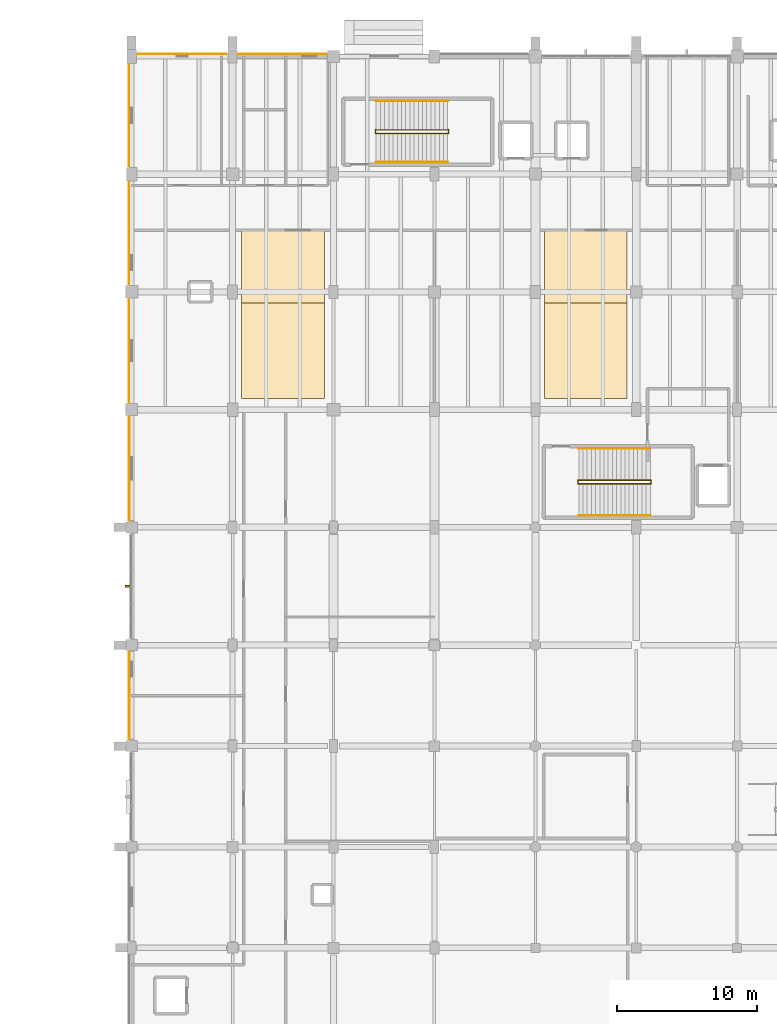
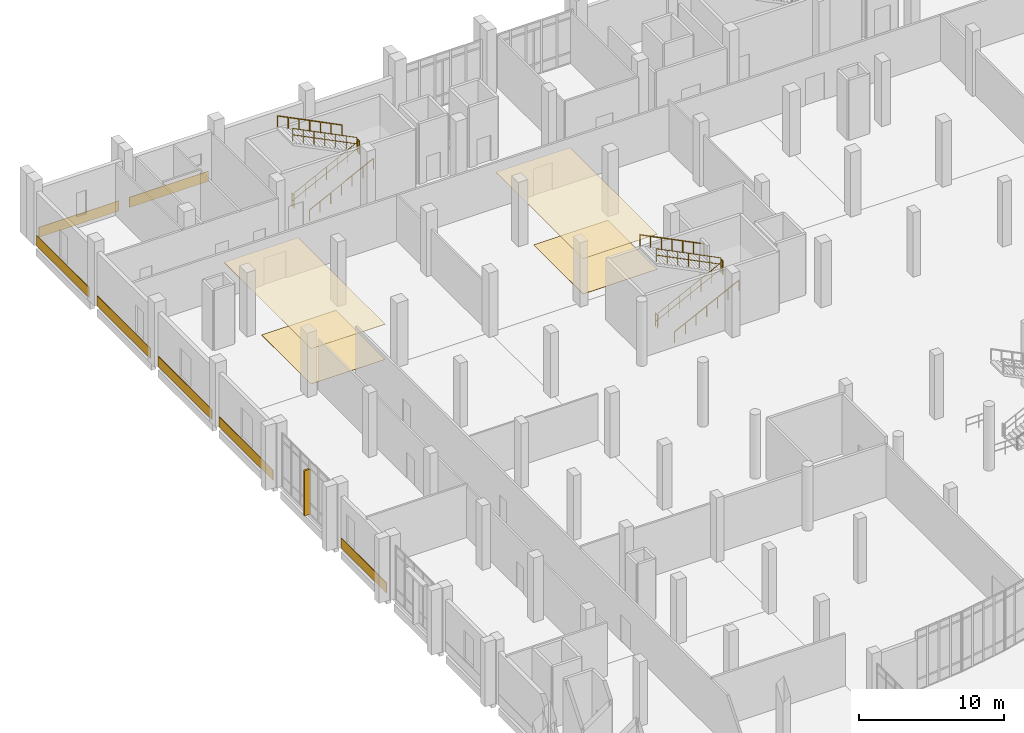
# One storey, part 104 of 110: 12 railings, 11 coverings, 1 shading device.
"""IFC4 building model written with IfcOpenShell, lengths in metres."""

from ifc_helpers import new_model, si_unit, direction, frame, origin, origin_2d, place, context, subcontext, project, spatial, polyline, rectangle, circle, outline, extrude, material, layer, layer_set, type_object, element, save


model = new_model("IFC4")

# Units and contexts
model_context = context("Model", 3, precision=1e-05, world=origin(), true_north=direction((0.0, 1.0)))
body_context = subcontext(model_context, "Body", "Model", "MODEL_VIEW")
ifc_project = project(units=[si_unit("LENGTHUNIT", "METRE"), si_unit("AREAUNIT", "SQUARE_METRE"), si_unit("VOLUMEUNIT", "CUBIC_METRE"), si_unit("PLANEANGLEUNIT", "RADIAN"), si_unit("MASSUNIT", "GRAM", prefix="KILO")], contexts=[model_context])

# Site, building, storey
site_placement = place(None, origin())
site = spatial("IfcSite", under=ifc_project, at=site_placement, CompositionType="ELEMENT")
building_placement = place(site_placement, origin())
building = spatial("IfcBuilding", under=site, at=building_placement, Name="Kalluvel Institute of Natural Sciences", CompositionType="ELEMENT")
storey_placement = place(building_placement, origin())
storey = spatial("IfcBuildingStorey", under=building, at=storey_placement, Name="L00", CompositionType="ELEMENT", Elevation=0.0)

# Coverings
ifc_material_1 = material(Name="Perforated Mineral-Fibre Acoustic Tile", Category="gypsum")
ifc_layer_1 = layer(ifc_material_1, 0.02490234375)
ifc_layer_set_1 = layer_set([ifc_layer_1], Name="Perforated Mineral-Fibre Acoustic Tile")
covering_type_1 = type_object("IfcCoveringType", Name="COV-CEIL-600", PredefinedType="CEILING", material=ifc_layer_set_1)
covering_1_placement = place(storey_placement, frame((0.0, 0.0, 2.949951171875)))
element("IfcCovering", 1, at=covering_1_placement, inside=storey, type_object=covering_type_1, Name="L00 laboratory acoustic ceiling panel 1", PredefinedType="CEILING", context=body_context, shape_type="SweptSolid", body=[
    extrude(outline(polyline([(21.85009765625, 103.60009765625), (27.75, 103.60009765625), (27.75, 115.60009765625), (21.85009765625, 115.60009765625), (21.85009765625, 103.60009765625)])), origin(), (0.0, 0.0, 1.0), 0.025146484375),
])
covering_2_placement = place(storey_placement, frame((0.0, 0.0, 2.949951171875)))
element("IfcCovering", 2, at=covering_2_placement, inside=storey, type_object=covering_type_1, Name="L00 laboratory acoustic ceiling panel 2", PredefinedType="CEILING", context=body_context, shape_type="SweptSolid", body=[
    extrude(outline(polyline([(43.449951171875, 103.60009765625), (49.35009765625, 103.60009765625), (49.35009765625, 115.60009765625), (43.449951171875, 115.60009765625), (43.449951171875, 103.60009765625)])), origin(), (0.0, 0.0, 1.0), 0.025146484375),
])
ifc_material_2 = material(Name="Sadarahalli Grey Granite Ashlar Concrete M40", Category="masonry")
ifc_layer_2 = layer(ifc_material_2, 0.044921875)
ifc_layer_set_2 = layer_set([ifc_layer_2], Name="Sadarahalli Grey Granite Ashlar Concrete M40")
covering_type_2 = type_object("IfcCoveringType", Name="COV-CLAD-STONE", PredefinedType="CLADDING", material=ifc_layer_set_2)
covering_3_placement = place(storey_placement, frame((17.612548828125, 128.179931640625, 0.02490234375), z_axis=(0.0, 0.0, 1.0), x_axis=(1.0, 0.0, 0.0)))
element("IfcCovering", 3, at=covering_3_placement, inside=storey, type_object=covering_type_2, Name="L00 Sadarahalli granite plinth spandrel cladding 1", PredefinedType="CLADDING", context=body_context, shape_type="SweptSolid", body=[
    extrude(rectangle(XDim=6.364990234375, YDim=0.044921875, at=origin_2d()), origin(), (0.0, 0.0, 1.0), 0.85009765625),
])
covering_4_placement = place(storey_placement, frame((24.75, 128.179931640625, 0.02490234375), z_axis=(0.0, 0.0, 1.0), x_axis=(1.0, 0.0, 0.0)))
element("IfcCovering", 4, at=covering_4_placement, inside=storey, type_object=covering_type_2, Name="L00 Sadarahalli granite plinth spandrel cladding 2", PredefinedType="CLADDING", context=body_context, shape_type="SweptSolid", body=[
    extrude(rectangle(XDim=6.2900390625, YDim=0.044921875, at=origin_2d()), origin(), (0.0, 0.0, 1.0), 0.85009765625),
])
covering_5_placement = place(storey_placement, frame((13.820068359375, 106.987548828125, 0.02490234375), z_axis=(0.0, 0.0, 1.0), x_axis=(0.0, 1.0, 0.0)))
element("IfcCovering", 5, at=covering_5_placement, inside=storey, type_object=covering_type_2, Name="L00 Sadarahalli granite plinth spandrel cladding 11", PredefinedType="CLADDING", context=body_context, shape_type="SweptSolid", body=[
    extrude(rectangle(XDim=7.364990234375, YDim=0.044921875, at=origin_2d()), origin(), (0.0, 0.0, 1.0), 0.85009765625),
])
covering_6_placement = place(storey_placement, frame((13.820068359375, 115.387451171875, 0.02490234375), z_axis=(0.0, 0.0, 1.0), x_axis=(0.0, 1.0, 0.0)))
element("IfcCovering", 6, at=covering_6_placement, inside=storey, type_object=covering_type_2, Name="L00 Sadarahalli granite plinth spandrel cladding 12", PredefinedType="CLADDING", context=body_context, shape_type="SweptSolid", body=[
    extrude(rectangle(XDim=7.31494140625, YDim=0.044921875, at=origin_2d()), origin(), (0.0, 0.0, 1.0), 0.85009765625),
])
covering_7_placement = place(storey_placement, frame((13.820068359375, 123.78759765625, 0.02490234375), z_axis=(0.0, 0.0, 1.0), x_axis=(0.0, 1.0, 0.0)))
element("IfcCovering", 7, at=covering_7_placement, inside=storey, type_object=covering_type_2, Name="L00 Sadarahalli granite plinth spandrel cladding 13", PredefinedType="CLADDING", context=body_context, shape_type="SweptSolid", body=[
    extrude(rectangle(XDim=7.264892578125, YDim=0.044921875, at=origin_2d()), origin(), (0.0, 0.0, 1.0), 0.85009765625),
])
covering_8_placement = place(storey_placement, frame((13.830078125, 82.39990234375, 0.02490234375), z_axis=(0.0, 0.0, 1.0), x_axis=(0.0, 1.0, 0.0)))
element("IfcCovering", 8, at=covering_8_placement, inside=storey, type_object=covering_type_2, Name="L00 Sadarahalli granite plinth spandrel cladding 133", PredefinedType="CLADDING", context=body_context, shape_type="SweptSolid", body=[
    extrude(rectangle(XDim=6.239990234375, YDim=0.044921875, at=origin_2d()), origin(), (0.0, 0.0, 1.0), 0.85009765625),
])
covering_9_placement = place(storey_placement, frame((13.830078125, 98.58740234375, 0.02490234375), z_axis=(0.0, 0.0, 1.0), x_axis=(0.0, 1.0, 0.0)))
element("IfcCovering", 9, at=covering_9_placement, inside=storey, type_object=covering_type_2, Name="L00 Sadarahalli granite plinth spandrel cladding 134", PredefinedType="CLADDING", context=body_context, shape_type="SweptSolid", body=[
    extrude(rectangle(XDim=7.4150390625, YDim=0.044921875, at=origin_2d()), origin(), (0.0, 0.0, 1.0), 0.85009765625),
])
ifc_material_3 = material(Name="Seamless Chemical-Resistant Epoxy Flooring", Category="resin")
ifc_layer_3 = layer(ifc_material_3, 0.014892578125)
ifc_layer_set_3 = layer_set([ifc_layer_3], Name="Seamless Chemical-Resistant Epoxy Flooring")
covering_type_3 = type_object("IfcCoveringType", Name="COV-FLR-EPOXY", PredefinedType="FLOORING", material=ifc_layer_set_3)
covering_10_placement = place(storey_placement, origin())
element("IfcCovering", 10, at=covering_10_placement, inside=storey, type_object=covering_type_3, Name="L00 seamless epoxy laboratory floor finish 1", PredefinedType="FLOORING", context=body_context, shape_type="SweptSolid", body=[
    extrude(outline(polyline([(21.85009765625, 103.60009765625), (27.75, 103.60009765625), (27.75, 110.39990234375), (21.85009765625, 110.39990234375), (21.85009765625, 103.60009765625)])), origin(), (0.0, 0.0, 1.0), 0.014892578125),
])
covering_11_placement = place(storey_placement, origin())
element("IfcCovering", 11, at=covering_11_placement, inside=storey, type_object=covering_type_3, Name="L00 seamless epoxy laboratory floor finish 2", PredefinedType="FLOORING", context=body_context, shape_type="SweptSolid", body=[
    extrude(outline(polyline([(43.449951171875, 103.60009765625), (49.35009765625, 103.60009765625), (49.35009765625, 110.39990234375), (43.449951171875, 110.39990234375), (43.449951171875, 103.60009765625)])), origin(), (0.0, 0.0, 1.0), 0.014892578125),
])

# Railings
ifc_material_4 = material(Name="Galvanized Fire-Rated Steel", Category="steel")
railing_type_1 = type_object("IfcRailingType", Name="RL-GD-STAIR", PredefinedType="BALUSTRADE", material=ifc_material_4)
railing_1_placement = place(storey_placement, frame((31.449951171875, 122.510009765625, 0.14990234375)))
element("IfcRailing", 12, at=railing_1_placement, inside=storey, type_object=railing_type_1, Name="L00 ST1 stair guard 1", PredefinedType="BALUSTRADE", context=body_context, shape_type="SweptSolid", body=[
    extrude(circle(Radius=0.02392578125, at=origin_2d()), frame((0.0, 0.0, 1.09619140625), z_axis=(0.894427191, 0.0, 0.4472135955), x_axis=(0.0, 1.0, 0.0)), (0.0, 0.0, 1.0), 5.7021484375),
    extrude(circle(Radius=0.02392578125, at=origin_2d()), frame((0.0, 0.0, 0.56005859375), z_axis=(0.894427191, 0.0, 0.4472135955), x_axis=(0.0, 1.0, 0.0)), (0.0, 0.0, 1.0), 5.7021484375),
    extrude(circle(Radius=0.02099609375, at=origin_2d()), origin(), (0.0, 0.0, 1.0), 1.072021484375),
    extrude(circle(Radius=0.02099609375, at=origin_2d()), frame((0.85009765625, 0.0, 0.425048828125)), (0.0, 0.0, 1.0), 1.072021484375),
    extrude(circle(Radius=0.02099609375, at=origin_2d()), frame((1.699951171875, 0.0, 0.85009765625)), (0.0, 0.0, 1.0), 1.072021484375),
    extrude(circle(Radius=0.02099609375, at=origin_2d()), frame((2.550048828125, 0.0, 1.27490234375)), (0.0, 0.0, 1.0), 1.072021484375),
    extrude(circle(Radius=0.02099609375, at=origin_2d()), frame((3.400146484375, 0.0, 1.699951171875)), (0.0, 0.0, 1.0), 1.072021484375),
    extrude(circle(Radius=0.02099609375, at=origin_2d()), frame((4.25, 0.0, 2.125)), (0.0, 0.0, 1.0), 1.072021484375),
    extrude(circle(Radius=0.02099609375, at=origin_2d()), frame((5.10009765625, 0.0, 2.550048828125)), (0.0, 0.0, 1.0), 1.072021484375),
])
railing_2_placement = place(storey_placement, frame((36.60009765625, 122.4951171875, 2.699951171875)))
element("IfcRailing", 13, at=railing_2_placement, inside=storey, type_object=railing_type_1, Name="L00 ST1 stair guard 2", PredefinedType="BALUSTRADE", context=body_context, shape_type="SweptSolid", body=[
    extrude(circle(Radius=0.02392578125, at=origin_2d()), frame((0.0, 0.0, 1.09619140625), z_axis=(0.0, 1.0, 0.0), x_axis=(-1.0, 0.0, 0.0)), (0.0, 0.0, 1.0), 0.27978515625),
    extrude(circle(Radius=0.02392578125, at=origin_2d()), frame((0.0, 0.0, 0.56005859375), z_axis=(0.0, 1.0, 0.0), x_axis=(-1.0, 0.0, 0.0)), (0.0, 0.0, 1.0), 0.27978515625),
    extrude(circle(Radius=0.02099609375, at=origin_2d()), origin(), (0.0, 0.0, 1.0), 1.072021484375),
    extrude(circle(Radius=0.02099609375, at=origin_2d()), frame((0.0, 0.27978515625, 0.0)), (0.0, 0.0, 1.0), 1.072021484375),
])
railing_3_placement = place(storey_placement, frame((36.550048828125, 122.760009765625, 2.85009765625)))
element("IfcRailing", 14, at=railing_3_placement, inside=storey, type_object=railing_type_1, Name="L00 ST1 stair guard 3", PredefinedType="BALUSTRADE", context=body_context, shape_type="SweptSolid", body=[
    extrude(circle(Radius=0.02392578125, at=origin_2d()), frame((0.0, 0.0, 1.09619140625), z_axis=(-0.89444431709, 0.0, 0.44717934168), x_axis=(0.0, -1.0, 0.0)), (0.0, 0.0, 1.0), 5.701904296875),
    extrude(circle(Radius=0.02392578125, at=origin_2d()), frame((0.0, 0.0, 0.56005859375), z_axis=(-0.89444431709, 0.0, 0.44717934168), x_axis=(0.0, -1.0, 0.0)), (0.0, 0.0, 1.0), 5.701904296875),
    extrude(circle(Radius=0.02099609375, at=origin_2d()), origin(), (0.0, 0.0, 1.0), 1.072021484375),
    extrude(circle(Radius=0.02099609375, at=origin_2d()), frame((-0.85009765625, 0.0, 0.425048828125)), (0.0, 0.0, 1.0), 1.072021484375),
    extrude(circle(Radius=0.02099609375, at=origin_2d()), frame((-1.699951171875, 0.0, 0.849853515625)), (0.0, 0.0, 1.0), 1.072021484375),
    extrude(circle(Radius=0.02099609375, at=origin_2d()), frame((-2.550048828125, 0.0, 1.27490234375)), (0.0, 0.0, 1.0), 1.072021484375),
    extrude(circle(Radius=0.02099609375, at=origin_2d()), frame((-3.400146484375, 0.0, 1.699951171875)), (0.0, 0.0, 1.0), 1.072021484375),
    extrude(circle(Radius=0.02099609375, at=origin_2d()), frame((-4.25, 0.0, 2.124755859375)), (0.0, 0.0, 1.0), 1.072021484375),
    extrude(circle(Radius=0.02099609375, at=origin_2d()), frame((-5.10009765625, 0.0, 2.5498046875)), (0.0, 0.0, 1.0), 1.072021484375),
])
railing_4_placement = place(storey_placement, frame((31.39990234375, 122.4951171875, 0.0)))
element("IfcRailing", 15, at=railing_4_placement, inside=storey, type_object=railing_type_1, Name="L00 ST1 stair guard 4", PredefinedType="BALUSTRADE", context=body_context, shape_type="SweptSolid", body=[
    extrude(circle(Radius=0.02392578125, at=origin_2d()), frame((0.0, 0.0, 1.09619140625), z_axis=(0.0, 1.0, 0.0), x_axis=(-1.0, 0.0, 0.0)), (0.0, 0.0, 1.0), 0.27978515625),
    extrude(circle(Radius=0.02392578125, at=origin_2d()), frame((0.0, 0.0, 0.56005859375), z_axis=(0.0, 1.0, 0.0), x_axis=(-1.0, 0.0, 0.0)), (0.0, 0.0, 1.0), 0.27978515625),
    extrude(circle(Radius=0.02099609375, at=origin_2d()), origin(), (0.0, 0.0, 1.0), 1.072021484375),
    extrude(circle(Radius=0.02099609375, at=origin_2d()), frame((0.0, 0.27978515625, 0.0)), (0.0, 0.0, 1.0), 1.072021484375),
])
railing_5_placement = place(storey_placement, frame((45.89990234375, 97.510009765625, 0.14990234375)))
element("IfcRailing", 16, at=railing_5_placement, inside=storey, type_object=railing_type_1, Name="L00 ST3 stair guard 1", PredefinedType="BALUSTRADE", context=body_context, shape_type="SweptSolid", body=[
    extrude(circle(Radius=0.02392578125, at=origin_2d()), frame((0.0, 0.0, 1.09619140625), z_axis=(0.894427191, 0.0, 0.4472135955), x_axis=(0.0, 1.0, 0.0)), (0.0, 0.0, 1.0), 5.7021484375),
    extrude(circle(Radius=0.02392578125, at=origin_2d()), frame((0.0, 0.0, 0.56005859375), z_axis=(0.894427191, 0.0, 0.4472135955), x_axis=(0.0, 1.0, 0.0)), (0.0, 0.0, 1.0), 5.7021484375),
    extrude(circle(Radius=0.02099609375, at=origin_2d()), origin(), (0.0, 0.0, 1.0), 1.072021484375),
    extrude(circle(Radius=0.02099609375, at=origin_2d()), frame((0.85009765625, 0.0, 0.425048828125)), (0.0, 0.0, 1.0), 1.072021484375),
    extrude(circle(Radius=0.02099609375, at=origin_2d()), frame((1.699951171875, 0.0, 0.85009765625)), (0.0, 0.0, 1.0), 1.072021484375),
    extrude(circle(Radius=0.02099609375, at=origin_2d()), frame((2.550048828125, 0.0, 1.27490234375)), (0.0, 0.0, 1.0), 1.072021484375),
    extrude(circle(Radius=0.02099609375, at=origin_2d()), frame((3.400146484375, 0.0, 1.699951171875)), (0.0, 0.0, 1.0), 1.072021484375),
    extrude(circle(Radius=0.02099609375, at=origin_2d()), frame((4.25, 0.0, 2.125)), (0.0, 0.0, 1.0), 1.072021484375),
    extrude(circle(Radius=0.02099609375, at=origin_2d()), frame((5.10009765625, 0.0, 2.550048828125)), (0.0, 0.0, 1.0), 1.072021484375),
])
railing_6_placement = place(storey_placement, frame((51.050048828125, 97.4951171875, 2.699951171875)))
element("IfcRailing", 17, at=railing_6_placement, inside=storey, type_object=railing_type_1, Name="L00 ST3 stair guard 2", PredefinedType="BALUSTRADE", context=body_context, shape_type="SweptSolid", body=[
    extrude(circle(Radius=0.02392578125, at=origin_2d()), frame((0.0, 0.0, 1.09619140625), z_axis=(0.0, 1.0, 0.0), x_axis=(-1.0, 0.0, 0.0)), (0.0, 0.0, 1.0), 0.27978515625),
    extrude(circle(Radius=0.02392578125, at=origin_2d()), frame((0.0, 0.0, 0.56005859375), z_axis=(0.0, 1.0, 0.0), x_axis=(-1.0, 0.0, 0.0)), (0.0, 0.0, 1.0), 0.27978515625),
    extrude(circle(Radius=0.02099609375, at=origin_2d()), origin(), (0.0, 0.0, 1.0), 1.072021484375),
    extrude(circle(Radius=0.02099609375, at=origin_2d()), frame((0.0, 0.27978515625, 0.0)), (0.0, 0.0, 1.0), 1.072021484375),
])
railing_7_placement = place(storey_placement, frame((51.0, 97.760009765625, 2.85009765625)))
element("IfcRailing", 18, at=railing_7_placement, inside=storey, type_object=railing_type_1, Name="L00 ST3 stair guard 3", PredefinedType="BALUSTRADE", context=body_context, shape_type="SweptSolid", body=[
    extrude(circle(Radius=0.02392578125, at=origin_2d()), frame((0.0, 0.0, 1.09619140625), z_axis=(-0.89444431709, 0.0, 0.44717934168), x_axis=(0.0, -1.0, 0.0)), (0.0, 0.0, 1.0), 5.701904296875),
    extrude(circle(Radius=0.02392578125, at=origin_2d()), frame((0.0, 0.0, 0.56005859375), z_axis=(-0.89444431709, 0.0, 0.44717934168), x_axis=(0.0, -1.0, 0.0)), (0.0, 0.0, 1.0), 5.701904296875),
    extrude(circle(Radius=0.02099609375, at=origin_2d()), origin(), (0.0, 0.0, 1.0), 1.072021484375),
    extrude(circle(Radius=0.02099609375, at=origin_2d()), frame((-0.85009765625, 0.0, 0.425048828125)), (0.0, 0.0, 1.0), 1.072021484375),
    extrude(circle(Radius=0.02099609375, at=origin_2d()), frame((-1.699951171875, 0.0, 0.849853515625)), (0.0, 0.0, 1.0), 1.072021484375),
    extrude(circle(Radius=0.02099609375, at=origin_2d()), frame((-2.550048828125, 0.0, 1.27490234375)), (0.0, 0.0, 1.0), 1.072021484375),
    extrude(circle(Radius=0.02099609375, at=origin_2d()), frame((-3.400146484375, 0.0, 1.699951171875)), (0.0, 0.0, 1.0), 1.072021484375),
    extrude(circle(Radius=0.02099609375, at=origin_2d()), frame((-4.25, 0.0, 2.124755859375)), (0.0, 0.0, 1.0), 1.072021484375),
    extrude(circle(Radius=0.02099609375, at=origin_2d()), frame((-5.10009765625, 0.0, 2.5498046875)), (0.0, 0.0, 1.0), 1.072021484375),
])
railing_8_placement = place(storey_placement, frame((45.85009765625, 97.4951171875, 0.0)))
element("IfcRailing", 19, at=railing_8_placement, inside=storey, type_object=railing_type_1, Name="L00 ST3 stair guard 4", PredefinedType="BALUSTRADE", context=body_context, shape_type="SweptSolid", body=[
    extrude(circle(Radius=0.02392578125, at=origin_2d()), frame((0.0, 0.0, 1.09619140625), z_axis=(0.0, 1.0, 0.0), x_axis=(-1.0, 0.0, 0.0)), (0.0, 0.0, 1.0), 0.27978515625),
    extrude(circle(Radius=0.02392578125, at=origin_2d()), frame((0.0, 0.0, 0.56005859375), z_axis=(0.0, 1.0, 0.0), x_axis=(-1.0, 0.0, 0.0)), (0.0, 0.0, 1.0), 0.27978515625),
    extrude(circle(Radius=0.02099609375, at=origin_2d()), origin(), (0.0, 0.0, 1.0), 1.072021484375),
    extrude(circle(Radius=0.02099609375, at=origin_2d()), frame((0.0, 0.27978515625, 0.0)), (0.0, 0.0, 1.0), 1.072021484375),
])
railing_type_2 = type_object("IfcRailingType", Name="RL-HR-STAIR", PredefinedType="HANDRAIL", material=ifc_material_4)
railing_9_placement = place(storey_placement, frame((31.449951171875, 120.449951171875, 0.14990234375)))
element("IfcRailing", 20, at=railing_9_placement, inside=storey, type_object=railing_type_2, Name="L00 ST1 stair handrail 1", PredefinedType="HANDRAIL", context=body_context, shape_type="SweptSolid", body=[
    extrude(circle(Radius=0.02392578125, at=origin_2d()), frame((0.0, 0.0, 0.89599609375), z_axis=(0.894427191, 0.0, 0.4472135955), x_axis=(0.0, 1.0, 0.0)), (0.0, 0.0, 1.0), 5.7021484375),
    extrude(circle(Radius=0.02099609375, at=origin_2d()), origin(), (0.0, 0.0, 1.0), 0.871826171875),
    extrude(circle(Radius=0.02099609375, at=origin_2d()), frame((0.85009765625, 0.0, 0.425048828125)), (0.0, 0.0, 1.0), 0.871826171875),
    extrude(circle(Radius=0.02099609375, at=origin_2d()), frame((1.699951171875, 0.0, 0.85009765625)), (0.0, 0.0, 1.0), 0.871826171875),
    extrude(circle(Radius=0.02099609375, at=origin_2d()), frame((2.550048828125, 0.0, 1.27490234375)), (0.0, 0.0, 1.0), 0.871826171875),
    extrude(circle(Radius=0.02099609375, at=origin_2d()), frame((3.400146484375, 0.0, 1.699951171875)), (0.0, 0.0, 1.0), 0.871826171875),
    extrude(circle(Radius=0.02099609375, at=origin_2d()), frame((4.25, 0.0, 2.125)), (0.0, 0.0, 1.0), 0.871826171875),
    extrude(circle(Radius=0.02099609375, at=origin_2d()), frame((5.10009765625, 0.0, 2.550048828125)), (0.0, 0.0, 1.0), 0.871826171875),
])
railing_10_placement = place(storey_placement, frame((36.550048828125, 124.820068359375, 2.85009765625)))
element("IfcRailing", 21, at=railing_10_placement, inside=storey, type_object=railing_type_2, Name="L00 ST1 stair handrail 2", PredefinedType="HANDRAIL", context=body_context, shape_type="SweptSolid", body=[
    extrude(circle(Radius=0.02392578125, at=origin_2d()), frame((0.0, 0.0, 0.89599609375), z_axis=(-0.89444431709, 0.0, 0.44717934168), x_axis=(0.0, -1.0, 0.0)), (0.0, 0.0, 1.0), 5.701904296875),
    extrude(circle(Radius=0.02099609375, at=origin_2d()), origin(), (0.0, 0.0, 1.0), 0.871826171875),
    extrude(circle(Radius=0.02099609375, at=origin_2d()), frame((-0.85009765625, 0.0, 0.425048828125)), (0.0, 0.0, 1.0), 0.871826171875),
    extrude(circle(Radius=0.02099609375, at=origin_2d()), frame((-1.699951171875, 0.0, 0.849853515625)), (0.0, 0.0, 1.0), 0.871826171875),
    extrude(circle(Radius=0.02099609375, at=origin_2d()), frame((-2.550048828125, 0.0, 1.27490234375)), (0.0, 0.0, 1.0), 0.871826171875),
    extrude(circle(Radius=0.02099609375, at=origin_2d()), frame((-3.400146484375, 0.0, 1.699951171875)), (0.0, 0.0, 1.0), 0.871826171875),
    extrude(circle(Radius=0.02099609375, at=origin_2d()), frame((-4.25, 0.0, 2.124755859375)), (0.0, 0.0, 1.0), 0.871826171875),
    extrude(circle(Radius=0.02099609375, at=origin_2d()), frame((-5.10009765625, 0.0, 2.5498046875)), (0.0, 0.0, 1.0), 0.871826171875),
])
railing_11_placement = place(storey_placement, frame((45.89990234375, 95.25, 0.14990234375)))
element("IfcRailing", 22, at=railing_11_placement, inside=storey, type_object=railing_type_2, Name="L00 ST3 stair handrail 1", PredefinedType="HANDRAIL", context=body_context, shape_type="SweptSolid", body=[
    extrude(circle(Radius=0.02392578125, at=origin_2d()), frame((0.0, 0.0, 0.89599609375), z_axis=(0.894427191, 0.0, 0.4472135955), x_axis=(0.0, 1.0, 0.0)), (0.0, 0.0, 1.0), 5.7021484375),
    extrude(circle(Radius=0.02099609375, at=origin_2d()), origin(), (0.0, 0.0, 1.0), 0.871826171875),
    extrude(circle(Radius=0.02099609375, at=origin_2d()), frame((0.85009765625, 0.0, 0.425048828125)), (0.0, 0.0, 1.0), 0.871826171875),
    extrude(circle(Radius=0.02099609375, at=origin_2d()), frame((1.699951171875, 0.0, 0.85009765625)), (0.0, 0.0, 1.0), 0.871826171875),
    extrude(circle(Radius=0.02099609375, at=origin_2d()), frame((2.550048828125, 0.0, 1.27490234375)), (0.0, 0.0, 1.0), 0.871826171875),
    extrude(circle(Radius=0.02099609375, at=origin_2d()), frame((3.400146484375, 0.0, 1.699951171875)), (0.0, 0.0, 1.0), 0.871826171875),
    extrude(circle(Radius=0.02099609375, at=origin_2d()), frame((4.25, 0.0, 2.125)), (0.0, 0.0, 1.0), 0.871826171875),
    extrude(circle(Radius=0.02099609375, at=origin_2d()), frame((5.10009765625, 0.0, 2.550048828125)), (0.0, 0.0, 1.0), 0.871826171875),
])
railing_12_placement = place(storey_placement, frame((51.0, 100.02001953125, 2.85009765625)))
element("IfcRailing", 23, at=railing_12_placement, inside=storey, type_object=railing_type_2, Name="L00 ST3 stair handrail 2", PredefinedType="HANDRAIL", context=body_context, shape_type="SweptSolid", body=[
    extrude(circle(Radius=0.02392578125, at=origin_2d()), frame((0.0, 0.0, 0.89599609375), z_axis=(-0.89444431709, 0.0, 0.44717934168), x_axis=(0.0, -1.0, 0.0)), (0.0, 0.0, 1.0), 5.701904296875),
    extrude(circle(Radius=0.02099609375, at=origin_2d()), origin(), (0.0, 0.0, 1.0), 0.871826171875),
    extrude(circle(Radius=0.02099609375, at=origin_2d()), frame((-0.85009765625, 0.0, 0.425048828125)), (0.0, 0.0, 1.0), 0.871826171875),
    extrude(circle(Radius=0.02099609375, at=origin_2d()), frame((-1.699951171875, 0.0, 0.849853515625)), (0.0, 0.0, 1.0), 0.871826171875),
    extrude(circle(Radius=0.02099609375, at=origin_2d()), frame((-2.550048828125, 0.0, 1.27490234375)), (0.0, 0.0, 1.0), 0.871826171875),
    extrude(circle(Radius=0.02099609375, at=origin_2d()), frame((-3.400146484375, 0.0, 1.699951171875)), (0.0, 0.0, 1.0), 0.871826171875),
    extrude(circle(Radius=0.02099609375, at=origin_2d()), frame((-4.25, 0.0, 2.124755859375)), (0.0, 0.0, 1.0), 0.871826171875),
    extrude(circle(Radius=0.02099609375, at=origin_2d()), frame((-5.10009765625, 0.0, 2.5498046875)), (0.0, 0.0, 1.0), 0.871826171875),
])

# Shading device
shading_device_type = type_object("IfcShadingDeviceType", Name="SHD-FIN-STONE", PredefinedType="USERDEFINED", material=ifc_material_2)
shading_device_placement = place(storey_placement, frame((13.780029296875, 90.199951171875, 0.0), z_axis=(0.0, 0.0, 1.0), x_axis=(0.0, 1.0, 0.0)))
element("IfcShadingDevice", 24, at=shading_device_placement, inside=storey, type_object=shading_device_type, Name="L00 monsoon lancet shading fin 119", ObjectType="MONSOON FIN", PredefinedType="USERDEFINED", context=body_context, shape_type="SweptSolid", body=[
    extrude(rectangle(XDim=0.139892578125, YDim=0.47998046875, at=origin_2d()), origin(), (0.0, 0.0, 1.0), 3.800048828125),
])

save(model, "model.ifc")
